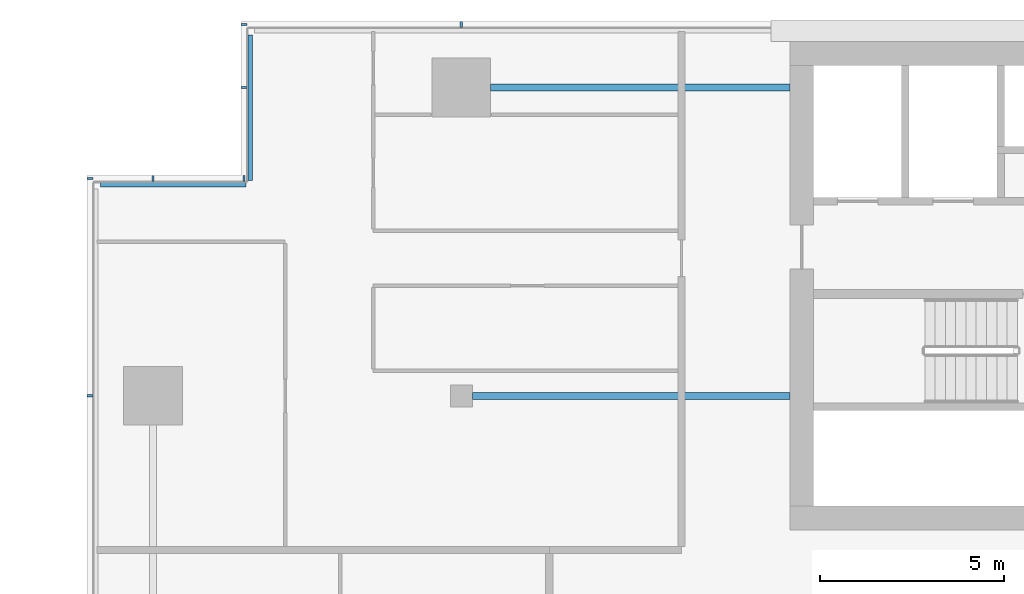
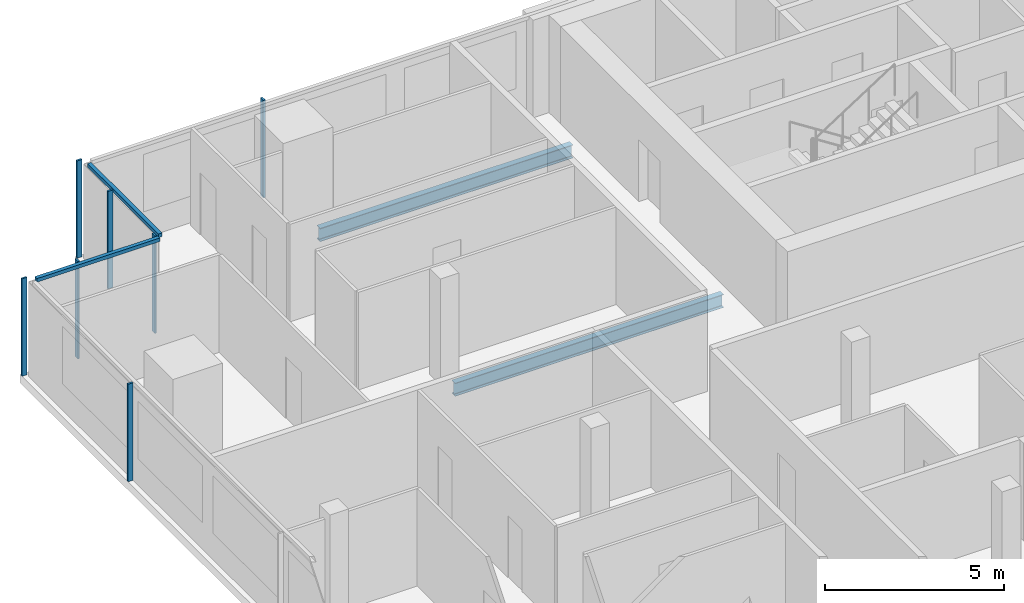
# One storey, part 7 of 30: 9 members, 2 beams, 4 elements without a shape of their own.
"""IFC4 building model written with IfcOpenShell, lengths in metres."""

from ifc_helpers import new_model, si_unit, direction, frame, origin, origin_2d, place, context, subcontext, project, spatial, rectangle, i_section, extrude, material, material_profile, profile_set, type_object, element, aggregate, save


model = new_model("IFC4")

# Units and contexts
model_context = context("Model", 3, precision=1e-05, world=origin(), true_north=direction((0.0, 1.0)))
body_context = subcontext(model_context, "Body", "Model", "MODEL_VIEW")
ifc_project = project(units=[si_unit("LENGTHUNIT", "METRE"), si_unit("AREAUNIT", "SQUARE_METRE"), si_unit("VOLUMEUNIT", "CUBIC_METRE"), si_unit("PLANEANGLEUNIT", "RADIAN"), si_unit("MASSUNIT", "GRAM", prefix="KILO")], contexts=[model_context])

# Site, building, storey
site_placement = place(None, origin())
site = spatial("IfcSite", under=ifc_project, at=site_placement, CompositionType="ELEMENT")
building_placement = place(site_placement, origin())
building = spatial("IfcBuilding", under=site, at=building_placement, Name="Saffron Gate Tower", CompositionType="ELEMENT")
storey_placement = place(building_placement, frame((0.0, 0.0, 245.10009765625)))
storey = spatial("IfcBuildingStorey", under=building, at=storey_placement, Name="L60", CompositionType="ELEMENT", Elevation=245.10009765625)

# Beams
ifc_material_1 = material(Name="Structural steel S355", Category="steel")
ifc_material_profile_1 = material_profile(ifc_material_1, i_section(OverallWidth=0.18994140625, OverallDepth=0.449951171875, WebThickness=0.009521484375, FlangeThickness=0.0146484375, FilletRadius=0.02099609375, at=origin_2d()))
ifc_profile_set_1 = profile_set([ifc_material_profile_1], Name="Structural steel S355")
beam_type = type_object("IfcBeamType", Name="B6 IPE 450", PredefinedType="BEAM", material=ifc_profile_set_1)
beam_1_placement = place(storey_placement, frame((58.5, 65.39990234375, -0.505126953125), z_axis=(1.0, 0.0, 0.0), x_axis=(0.0, 1.0, 0.0)))
element("IfcBeam", 1, at=beam_1_placement, inside=storey, type_object=beam_type, Name="B6 CORE TIE BEAM", PredefinedType="BEAM", context=body_context, shape_type="SweptSolid", body=[
    extrude(i_section(OverallWidth=0.18994140625, OverallDepth=0.449951171875, WebThickness=0.009521484375, FlangeThickness=0.0146484375, FilletRadius=0.02099609375, at=origin_2d()), origin(), (0.0, 0.0, 1.0), 8.64990234375),
])
beam_2_placement = place(storey_placement, frame((59.0, 73.800048828125, -0.505126953125), z_axis=(1.0, 0.0, 0.0), x_axis=(0.0, 1.0, 0.0)))
element("IfcBeam", 2, at=beam_2_placement, inside=storey, type_object=beam_type, Name="B6 CORE TIE BEAM", PredefinedType="BEAM", context=body_context, shape_type="SweptSolid", body=[
    extrude(i_section(OverallWidth=0.18994140625, OverallDepth=0.449951171875, WebThickness=0.009521484375, FlangeThickness=0.0146484375, FilletRadius=0.02099609375, at=origin_2d()), origin(), (0.0, 0.0, 1.0), 8.14990234375),
])

# Curtain wall, members
ifc_material_2 = material(Name="Aluminium, bronze anodised", Category="aluminium")
curtain_wall_type_1 = type_object("IfcCurtainWallType", Name="CWS2 curtain wall side facades", PredefinedType="NOTDEFINED", material=ifc_material_2)
curtain_wall_1_placement = place(storey_placement, origin())
curtain_wall_1 = element("IfcCurtainWall", 3, at=curtain_wall_1_placement, inside=storey, type_object=curtain_wall_type_1, Name="CWS2 run 10", PredefinedType="NOTDEFINED")
ifc_material_profile_2 = material_profile(ifc_material_2, rectangle(XDim=0.159912109375, YDim=0.06005859375, at=origin_2d()))
ifc_profile_set_2 = profile_set([ifc_material_profile_2], Name="Aluminium, bronze anodised")
member_type_1 = type_object("IfcMemberType", Name="CWS2 mullion 60x160", PredefinedType="MULLION", material=ifc_profile_set_2)
member_1_placement = place(storey_placement, frame((48.080078125, 71.320068359375, 0.0), z_axis=(0.0, 0.0, 1.0), x_axis=(1.0, 0.0, 0.0)))
member_1 = element("IfcMember", 4, at=member_1_placement, type_object=member_type_1, Name="CWS2 mullion 1", PredefinedType="MULLION", context=body_context, shape_type="SweptSolid", body=[
    extrude(rectangle(XDim=0.159912109375, YDim=0.06005859375, at=origin_2d()), origin(), (0.0, 0.0, 1.0), 3.31982421875),
])
member_2_placement = place(storey_placement, frame((48.080078125, 65.39990234375, 0.0), z_axis=(0.0, 0.0, 1.0), x_axis=(1.0, 0.0, 0.0)))
member_2 = element("IfcMember", 5, at=member_2_placement, type_object=member_type_1, Name="CWS2 mullion 2", PredefinedType="MULLION", context=body_context, shape_type="SweptSolid", body=[
    extrude(rectangle(XDim=0.159912109375, YDim=0.06005859375, at=origin_2d()), origin(), (0.0, 0.0, 1.0), 3.31982421875),
])
aggregate(curtain_wall_1, [member_1, member_2])

# Curtain wall, member
curtain_wall_type_2 = type_object("IfcCurtainWallType", Name="CWS3 curtain wall rear facade", PredefinedType="NOTDEFINED", material=ifc_material_2)
curtain_wall_2_placement = place(storey_placement, origin())
curtain_wall_2 = element("IfcCurtainWall", 6, at=curtain_wall_2_placement, inside=storey, type_object=curtain_wall_type_2, Name="CWS3 run 7", PredefinedType="NOTDEFINED")
ifc_material_profile_3 = material_profile(ifc_material_2, rectangle(XDim=0.159912109375, YDim=0.070068359375, at=origin_2d()))
ifc_profile_set_3 = profile_set([ifc_material_profile_3], Name="Aluminium, bronze anodised")
member_type_2 = type_object("IfcMemberType", Name="CWS3 mullion 70x160", PredefinedType="MULLION", material=ifc_profile_set_3)
member_3_placement = place(storey_placement, frame((58.199951171875, 75.52001953125, 0.0), z_axis=(0.0, 0.0, 1.0), x_axis=(0.0, -1.0, 0.0)))
member_3 = element("IfcMember", 7, at=member_3_placement, type_object=member_type_2, Name="CWS3 mullion 9", PredefinedType="MULLION", context=body_context, shape_type="SweptSolid", body=[
    extrude(rectangle(XDim=0.159912109375, YDim=0.070068359375, at=origin_2d()), origin(), (0.0, 0.0, 1.0), 3.31982421875),
])
aggregate(curtain_wall_2, [member_3])

curtain_wall_type_3 = type_object("IfcCurtainWallType", Name="CWS4 curtain wall corner returns", PredefinedType="NOTDEFINED", material=ifc_material_2)
curtain_wall_3_placement = place(storey_placement, origin())
curtain_wall_3 = element("IfcCurtainWall", 8, at=curtain_wall_3_placement, inside=storey, type_object=curtain_wall_type_3, Name="CWS4 run 8", PredefinedType="NOTDEFINED")
ifc_material_profile_4 = material_profile(ifc_material_2, rectangle(XDim=0.1201171875, YDim=0.1201171875, at=origin_2d()))
ifc_profile_set_4 = profile_set([ifc_material_profile_4], Name="Aluminium, bronze anodised")
member_type_3 = type_object("IfcMemberType", Name="CWS4 head transom", PredefinedType="USERDEFINED", material=ifc_profile_set_4)
member_4_placement = place(storey_placement, frame((52.447998046875, 75.23193359375, 3.260009765625), z_axis=(0.0, -1.0, 0.0), x_axis=(1.0, 0.0, 0.0)))
member_4 = element("IfcMember", 9, at=member_4_placement, type_object=member_type_3, Name="CWS4 head transom", ObjectType="TRANSOM", PredefinedType="USERDEFINED", context=body_context, shape_type="SweptSolid", body=[
    extrude(rectangle(XDim=0.1201171875, YDim=0.1201171875, at=origin_2d()), origin(), (0.0, 0.0, 1.0), 3.9599609375),
])

curtain_wall_4_placement = place(storey_placement, origin())
curtain_wall_4 = element("IfcCurtainWall", 10, at=curtain_wall_4_placement, inside=storey, type_object=curtain_wall_type_3, Name="CWS4 run 9", PredefinedType="NOTDEFINED")
member_5_placement = place(storey_placement, frame((52.327880859375, 71.152099609375, 3.260009765625), z_axis=(-1.0, 0.0, 0.0), x_axis=(0.0, -1.0, 0.0)))
member_5 = element("IfcMember", 11, at=member_5_placement, type_object=member_type_3, Name="CWS4 head transom", ObjectType="TRANSOM", PredefinedType="USERDEFINED", context=body_context, shape_type="SweptSolid", body=[
    extrude(rectangle(XDim=0.1201171875, YDim=0.1201171875, at=origin_2d()), origin(), (0.0, 0.0, 1.0), 3.9599609375),
])

# Member
ifc_material_profile_5 = material_profile(ifc_material_2, rectangle(XDim=0.159912109375, YDim=0.06005859375, at=origin_2d()))
ifc_profile_set_5 = profile_set([ifc_material_profile_5], Name="Aluminium, bronze anodised")
member_type_4 = type_object("IfcMemberType", Name="CWS4 mullion 60x160", PredefinedType="MULLION", material=ifc_profile_set_5)
member_6_placement = place(storey_placement, frame((52.280029296875, 75.52001953125, 0.0), z_axis=(0.0, 0.0, 1.0), x_axis=(1.0, 0.0, 0.0)))
member_6 = element("IfcMember", 12, at=member_6_placement, type_object=member_type_4, Name="CWS4 mullion 1", PredefinedType="MULLION", context=body_context, shape_type="SweptSolid", body=[
    extrude(rectangle(XDim=0.159912109375, YDim=0.06005859375, at=origin_2d()), origin(), (0.0, 0.0, 1.0), 3.31982421875),
])

member_7_placement = place(storey_placement, frame((52.280029296875, 73.800048828125, 0.0), z_axis=(0.0, 0.0, 1.0), x_axis=(1.0, 0.0, 0.0)))
member_7 = element("IfcMember", 13, at=member_7_placement, type_object=member_type_4, Name="CWS4 mullion 2", PredefinedType="MULLION", context=body_context, shape_type="SweptSolid", body=[
    extrude(rectangle(XDim=0.159912109375, YDim=0.06005859375, at=origin_2d()), origin(), (0.0, 0.0, 1.0), 3.31982421875),
])

aggregate(curtain_wall_3, [member_6, member_7, member_4])

member_8_placement = place(storey_placement, frame((52.280029296875, 71.320068359375, 0.0), z_axis=(0.0, 0.0, 1.0), x_axis=(0.0, -1.0, 0.0)))
member_8 = element("IfcMember", 14, at=member_8_placement, type_object=member_type_4, Name="CWS4 mullion 1", PredefinedType="MULLION", context=body_context, shape_type="SweptSolid", body=[
    extrude(rectangle(XDim=0.159912109375, YDim=0.06005859375, at=origin_2d()), origin(), (0.0, 0.0, 1.0), 3.31982421875),
])

member_9_placement = place(storey_placement, frame((49.800048828125, 71.320068359375, 0.0), z_axis=(0.0, 0.0, 1.0), x_axis=(0.0, -1.0, 0.0)))
member_9 = element("IfcMember", 15, at=member_9_placement, type_object=member_type_4, Name="CWS4 mullion 2", PredefinedType="MULLION", context=body_context, shape_type="SweptSolid", body=[
    extrude(rectangle(XDim=0.159912109375, YDim=0.06005859375, at=origin_2d()), origin(), (0.0, 0.0, 1.0), 3.31982421875),
])

aggregate(curtain_wall_4, [member_8, member_9, member_5])

save(model, "model.ifc")
